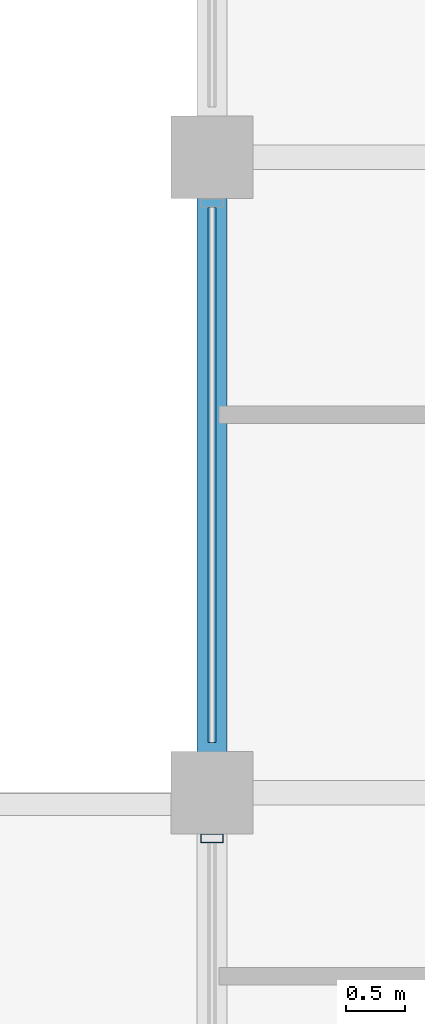
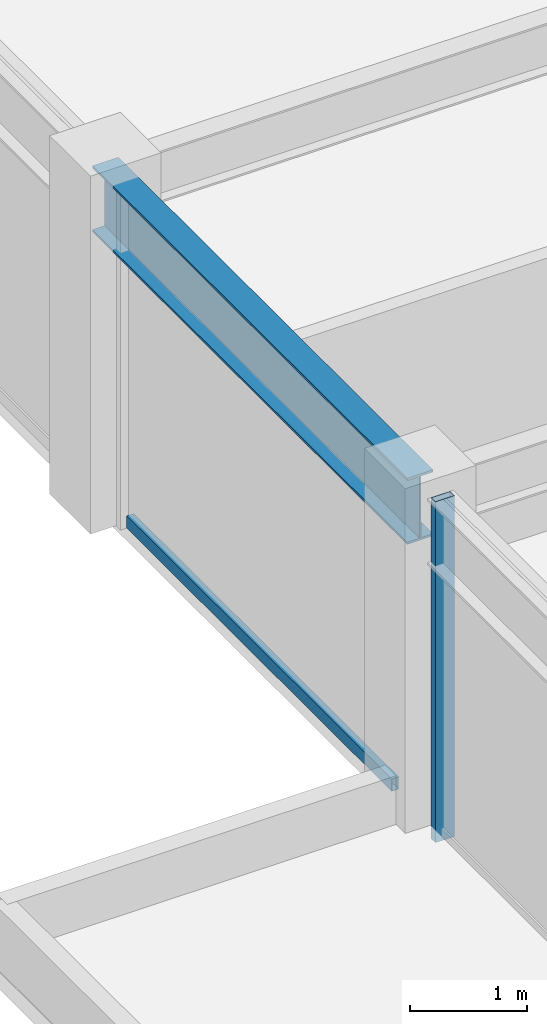
# One storey, part 8 of 29: 2 members, 1 beam, 1 element without a shape of its own.
"""IFC4 building model written with IfcOpenShell, lengths in metres."""

from ifc_helpers import new_model, si_unit, direction, frame, origin, origin_2d, place, context, subcontext, project, spatial, hollow_rectangle, i_section, extrude, material, layer, layer_set, material_profile, profile_set, type_object, element, aggregate, save


model = new_model("IFC4")

# Units and contexts
model_context = context("Model", 3, precision=1e-05, world=origin(), true_north=direction((0.0, 1.0)))
body_context = subcontext(model_context, "Body", "Model", "MODEL_VIEW")
ifc_project = project(units=[si_unit("LENGTHUNIT", "METRE"), si_unit("AREAUNIT", "SQUARE_METRE"), si_unit("VOLUMEUNIT", "CUBIC_METRE"), si_unit("PLANEANGLEUNIT", "RADIAN"), si_unit("MASSUNIT", "GRAM", prefix="KILO")], contexts=[model_context])

# Site, building, storey
site_placement = place(None, origin())
site = spatial("IfcSite", under=ifc_project, at=site_placement, CompositionType="ELEMENT")
building_placement = place(site_placement, origin())
building = spatial("IfcBuilding", under=site, at=building_placement, Name="Surkhivell Harbour Commons", CompositionType="ELEMENT")
storey_placement = place(building_placement, frame((0.0, 0.0, 326.25)))
storey = spatial("IfcBuildingStorey", under=building, at=storey_placement, Name="L85", CompositionType="ELEMENT", Elevation=326.25)

# Beam
ifc_material_1 = material(Name="Steel S355", Category="steel")
ifc_material_profile_1 = material_profile(ifc_material_1, i_section(OverallWidth=0.256103515625, OverallDepth=0.693115234375, WebThickness=0.014404296875, FlangeThickness=0.023681640625, at=origin_2d()), Name="UB686x254x170")
ifc_profile_set_1 = profile_set([ifc_material_profile_1], Name="Steel S355")
beam_type = type_object("IfcBeamType", Name="BM-SPN-686", PredefinedType="SPANDREL", material=ifc_profile_set_1)
beam_placement = place(storey_placement, frame((-27.0, 5.39990234375, 3.223388671875), z_axis=(0.0, 1.0, 0.0), x_axis=(-1.0, 0.0, 0.0)))
element("IfcBeam", 1, at=beam_placement, inside=storey, type_object=beam_type, Name="L85 Tube Spandrel (-27.0,5.4)", PredefinedType="SPANDREL", context=body_context, shape_type="SweptSolid", body=[
    extrude(i_section(OverallWidth=0.256103515625, OverallDepth=0.693115234375, WebThickness=0.014404296875, FlangeThickness=0.023681640625, at=origin_2d()), origin(), (0.0, 0.0, 1.0), 5.400146484375),
])

# Curtain wall, members
ifc_material_2 = material(Name="Anodised pale-metal aluminium and insulated glazing", Category="aluminium")
ifc_layer = layer(ifc_material_2, 0.175048828125)
ifc_layer_set = layer_set([ifc_layer], Name="Anodised pale-metal aluminium and insulated glazing")
curtain_wall_type = type_object("IfcCurtainWallType", Name="CW-SYS-Z4", PredefinedType="NOTDEFINED", material=ifc_layer_set)
curtain_wall_placement = place(storey_placement, origin())
curtain_wall = element("IfcCurtainWall", 2, at=curtain_wall_placement, inside=storey, type_object=curtain_wall_type, Name="L85 Curtain Wall CW-L85-E12S1", PredefinedType="NOTDEFINED")
ifc_material_3 = material(Name="Anodised pale-metal aluminium alloy 6063-T6", Category="aluminium")
ifc_material_profile_2 = material_profile(ifc_material_3, hollow_rectangle(XDim=0.074951171875, YDim=0.18994140625, WallThickness=0.00390625, at=origin_2d()), Name="ALU-MULL-75x190")
ifc_profile_set_2 = profile_set([ifc_material_profile_2], Name="Anodised pale-metal aluminium alloy 6063-T6")
member_type_1 = type_object("IfcMemberType", Name="CWM-190", PredefinedType="MULLION", material=ifc_profile_set_2)
member_1_placement = place(storey_placement, frame((-27.0, 5.010498046875, 0.0), z_axis=(0.0, 0.0, 1.0), x_axis=(0.0, -1.0, 0.0)))
member_1 = element("IfcMember", 3, at=member_1_placement, type_object=member_type_1, Name="CW-Z4 mullion 4", PredefinedType="MULLION", context=body_context, shape_type="SweptSolid", body=[
    extrude(hollow_rectangle(XDim=0.074951171875, YDim=0.18994140625, WallThickness=0.00390625, at=origin_2d()), origin(), (0.0, 0.0, 1.0), 3.570068359375),
])
ifc_material_4 = material(Name="Champagne anodised aluminium alloy 6063-T6", Category="aluminium")
ifc_material_profile_3 = material_profile(ifc_material_4, hollow_rectangle(XDim=0.070068359375, YDim=0.1298828125, WallThickness=0.00341796875, at=origin_2d()), Name="ALU-TRAN-70x130")
ifc_profile_set_3 = profile_set([ifc_material_profile_3], Name="Champagne anodised aluminium alloy 6063-T6")
member_type_2 = type_object("IfcMemberType", Name="CWT-130", PredefinedType="USERDEFINED", material=ifc_profile_set_3)
member_2_placement = place(storey_placement, frame((-27.0, 10.373046875, 0.06494140625), z_axis=(0.0, -1.0, 0.0), x_axis=(1.0, 0.0, 0.0)))
member_2 = element("IfcMember", 4, at=member_2_placement, type_object=member_type_2, Name="CW-Z4 transom 3.1", ObjectType="TRANSOM", PredefinedType="USERDEFINED", context=body_context, shape_type="SweptSolid", body=[
    extrude(hollow_rectangle(XDim=0.070068359375, YDim=0.1298828125, WallThickness=0.00341796875, at=origin_2d()), origin(), (0.0, 0.0, 1.0), 4.546142578125),
])
aggregate(curtain_wall, [member_2, member_1])

save(model, "model.ifc")
